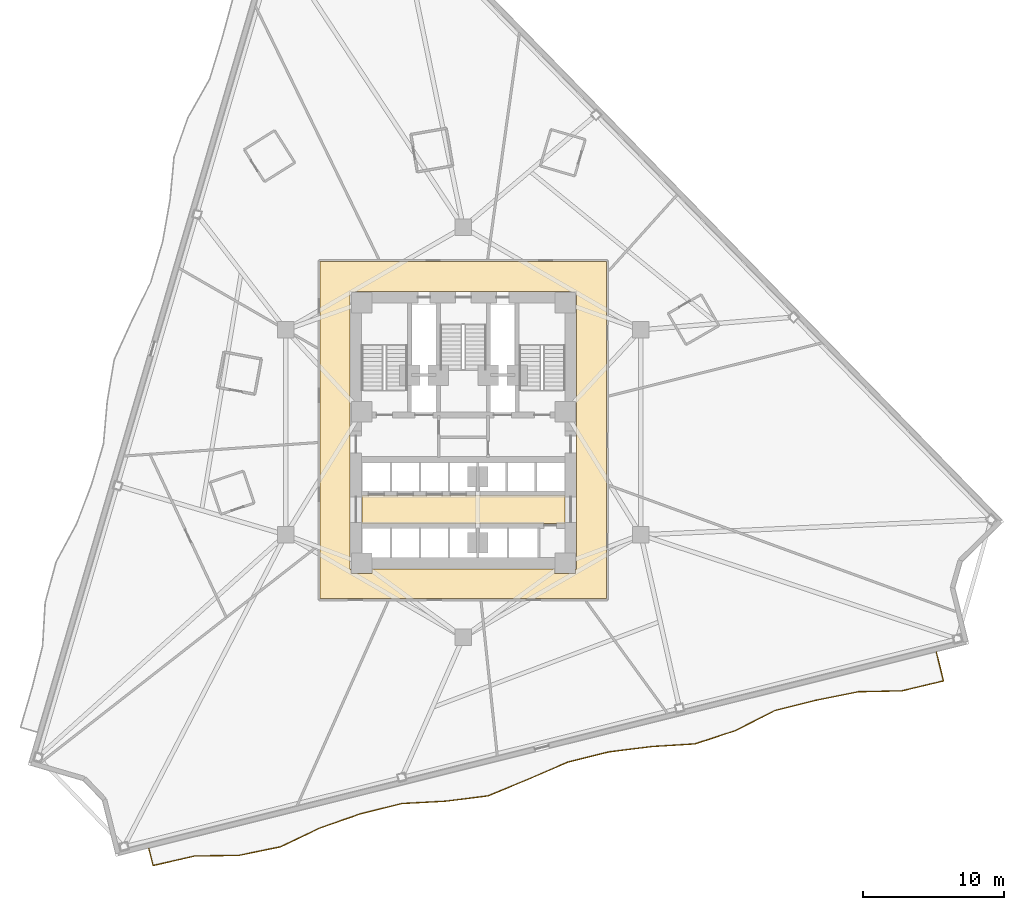
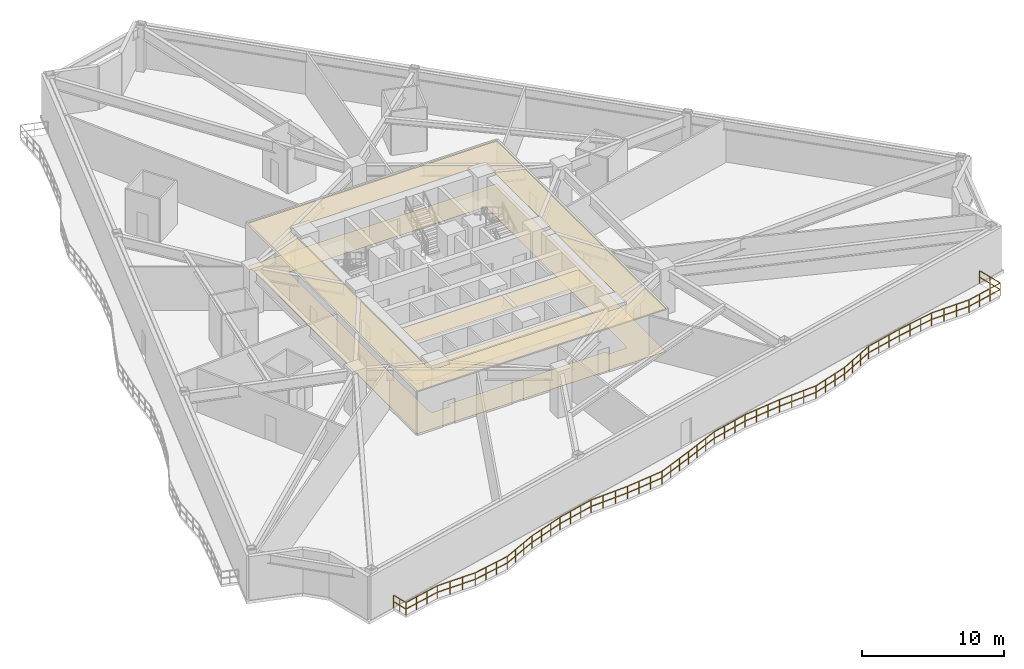
# One storey, part 7 of 9: 4 coverings, 1 railing.
"""IFC4 building model written with IfcOpenShell, lengths in metres."""

from ifc_helpers import new_model, si_unit, direction, frame, origin, origin_2d, place, context, subcontext, project, spatial, polyline, rectangle, outline, extrude, material, layer, layer_set, type_object, element, save


model = new_model("IFC4")

# Units and contexts
model_context = context("Model", 3, precision=1e-05, world=origin(), true_north=direction((0.0, 1.0)))
body_context = subcontext(model_context, "Body", "Model", "MODEL_VIEW")
ifc_project = project(units=[si_unit("LENGTHUNIT", "METRE"), si_unit("AREAUNIT", "SQUARE_METRE"), si_unit("VOLUMEUNIT", "CUBIC_METRE"), si_unit("PLANEANGLEUNIT", "RADIAN"), si_unit("MASSUNIT", "GRAM", prefix="KILO")], contexts=[model_context])

# Site, building, storey
site_placement = place(None, origin())
site = spatial("IfcSite", under=ifc_project, at=site_placement, CompositionType="ELEMENT")
building_placement = place(site_placement, origin())
building = spatial("IfcBuilding", under=site, at=building_placement, Name="Apsidion Concourse Tower", CompositionType="ELEMENT")
storey_placement = place(building_placement, frame((0.0, 0.0, 119.0)))
storey = spatial("IfcBuildingStorey", under=building, at=storey_placement, Name="L27", CompositionType="ELEMENT", Elevation=119.0)

# Coverings
ifc_material_1 = material(Name="Acoustic mineral fibre ceiling")
ifc_layer_1 = layer(ifc_material_1, 0.0400390625)
ifc_layer_set_1 = layer_set([ifc_layer_1], Name="Acoustic mineral fibre ceiling")
covering_type_1 = type_object("IfcCoveringType", Name="COV-CEIL-40", PredefinedType="CEILING", material=ifc_layer_set_1)
covering_1_placement = place(storey_placement, frame((0.0, 0.0, 3.64990234375)))
element("IfcCovering", 1, at=covering_1_placement, inside=storey, type_object=covering_type_1, Name="L27 Acoustic Ceiling Grid 1", PredefinedType="CEILING", context=body_context, shape_type="SweptSolid", body=[
    extrude(outline(polyline([(-7.179931640625, -6.449951171875), (-7.179931640625, -4.47998046875), (7.179931640625, -4.47998046875), (7.179931640625, -6.449951171875), (-7.179931640625, -6.449951171875)])), origin(), (0.0, 0.0, 1.0), 0.0400390625),
])
covering_2_placement = place(storey_placement, frame((0.0, 0.0, 3.64990234375)))
element("IfcCovering", 2, at=covering_2_placement, inside=storey, type_object=covering_type_1, Name="L27 Acoustic Ceiling Grid 2", PredefinedType="CEILING", context=body_context, shape_type="SweptSolid", body=[
    extrude(outline(polyline([(10.1201171875, 12.070068359375), (10.1201171875, -11.77001953125), (-10.1201171875, -11.77001953125), (-10.1201171875, 12.070068359375), (10.1201171875, 12.070068359375)]), holes=[polyline([(-8.02001953125, -9.669921875), (-7.945068359375, -9.669921875), (-7.945068359375, -9.97509765625), (-7.94482421875, -9.97705078125), (-7.944580078125, -9.97900390625), (-7.944091796875, -9.980712890625), (-7.943603515625, -9.982666015625), (-7.942626953125, -9.984375), (-7.941650390625, -9.986083984375), (-7.9404296875, -9.98779296875), (-7.939208984375, -9.989013671875), (-7.937744140625, -9.990478515625), (-7.93603515625, -9.99169921875), (-7.934326171875, -9.99267578125), (-7.9326171875, -9.993408203125), (-7.930908203125, -9.994140625), (-7.928955078125, -9.99462890625), (-7.927001953125, -9.994873046875), (-7.925048828125, -9.9951171875), (-6.47509765625, -9.9951171875), (-6.472900390625, -9.994873046875), (-6.47119140625, -9.99462890625), (-6.46923828125, -9.994140625), (-6.46728515625, -9.993408203125), (-6.465576171875, -9.99267578125), (-6.4638671875, -9.99169921875), (-6.46240234375, -9.990478515625), (-6.4609375, -9.989013671875), (-6.45947265625, -9.98779296875), (-6.45849609375, -9.986083984375), (-6.45751953125, -9.984375), (-6.45654296875, -9.982666015625), (-6.455810546875, -9.980712890625), (-6.455322265625, -9.97900390625), (-6.455078125, -9.97705078125), (-6.455078125, -9.97509765625), (-6.455078125, -9.669921875), (6.455078125, -9.669921875), (6.455078125, -9.97509765625), (6.455078125, -9.97705078125), (6.455322265625, -9.97900390625), (6.455810546875, -9.980712890625), (6.45654296875, -9.982666015625), (6.45751953125, -9.984375), (6.45849609375, -9.986083984375), (6.45947265625, -9.98779296875), (6.4609375, -9.989013671875), (6.46240234375, -9.990478515625), (6.4638671875, -9.99169921875), (6.465576171875, -9.99267578125), (6.46728515625, -9.993408203125), (6.46923828125, -9.994140625), (6.47119140625, -9.99462890625), (6.472900390625, -9.994873046875), (6.47509765625, -9.9951171875), (7.925048828125, -9.9951171875), (7.927001953125, -9.994873046875), (7.928955078125, -9.99462890625), (7.930908203125, -9.994140625), (7.9326171875, -9.993408203125), (7.934326171875, -9.99267578125), (7.93603515625, -9.99169921875), (7.937744140625, -9.990478515625), (7.939208984375, -9.989013671875), (7.9404296875, -9.98779296875), (7.941650390625, -9.986083984375), (7.942626953125, -9.984375), (7.943603515625, -9.982666015625), (7.944091796875, -9.980712890625), (7.944580078125, -9.97900390625), (7.94482421875, -9.97705078125), (7.945068359375, -9.97509765625), (7.945068359375, -9.669921875), (8.02001953125, -9.669921875), (8.02001953125, 9.969970703125), (-8.02001953125, 9.969970703125), (-8.02001953125, -9.669921875)])]), origin(), (0.0, 0.0, 1.0), 0.0400390625),
])
ifc_material_2 = material(Name="Honed travertine floor finish", Category="masonry")
ifc_layer_2 = layer(ifc_material_2, 0.02001953125)
ifc_layer_set_2 = layer_set([ifc_layer_2], Name="Honed travertine floor finish")
covering_type_2 = type_object("IfcCoveringType", Name="COV-FLOR-20", PredefinedType="FLOORING", material=ifc_layer_set_2)
covering_3_placement = place(storey_placement, origin())
element("IfcCovering", 3, at=covering_3_placement, inside=storey, type_object=covering_type_2, Name="L27 Honed Travertine Floor Finish 1", PredefinedType="FLOORING", context=body_context, shape_type="SweptSolid", body=[
    extrude(outline(polyline([(-7.179931640625, -6.449951171875), (-7.179931640625, -4.47998046875), (7.179931640625, -4.47998046875), (7.179931640625, -6.449951171875), (-7.179931640625, -6.449951171875)])), origin(), (0.0, 0.0, 1.0), 0.02001953125),
])
covering_4_placement = place(storey_placement, origin())
element("IfcCovering", 4, at=covering_4_placement, inside=storey, type_object=covering_type_2, Name="L27 Honed Travertine Floor Finish 2", PredefinedType="FLOORING", context=body_context, shape_type="SweptSolid", body=[
    extrude(outline(polyline([(10.1201171875, 12.070068359375), (10.1201171875, -11.77001953125), (-10.1201171875, -11.77001953125), (-10.1201171875, 12.070068359375), (10.1201171875, 12.070068359375)]), holes=[polyline([(-8.02001953125, -9.669921875), (-7.945068359375, -9.669921875), (-7.945068359375, -9.97509765625), (-7.94482421875, -9.97705078125), (-7.944580078125, -9.97900390625), (-7.944091796875, -9.980712890625), (-7.943603515625, -9.982666015625), (-7.942626953125, -9.984375), (-7.941650390625, -9.986083984375), (-7.9404296875, -9.98779296875), (-7.939208984375, -9.989013671875), (-7.937744140625, -9.990478515625), (-7.93603515625, -9.99169921875), (-7.934326171875, -9.99267578125), (-7.9326171875, -9.993408203125), (-7.930908203125, -9.994140625), (-7.928955078125, -9.99462890625), (-7.927001953125, -9.994873046875), (-7.925048828125, -9.9951171875), (-6.47509765625, -9.9951171875), (-6.472900390625, -9.994873046875), (-6.47119140625, -9.99462890625), (-6.46923828125, -9.994140625), (-6.46728515625, -9.993408203125), (-6.465576171875, -9.99267578125), (-6.4638671875, -9.99169921875), (-6.46240234375, -9.990478515625), (-6.4609375, -9.989013671875), (-6.45947265625, -9.98779296875), (-6.45849609375, -9.986083984375), (-6.45751953125, -9.984375), (-6.45654296875, -9.982666015625), (-6.455810546875, -9.980712890625), (-6.455322265625, -9.97900390625), (-6.455078125, -9.97705078125), (-6.455078125, -9.97509765625), (-6.455078125, -9.669921875), (6.455078125, -9.669921875), (6.455078125, -9.97509765625), (6.455078125, -9.97705078125), (6.455322265625, -9.97900390625), (6.455810546875, -9.980712890625), (6.45654296875, -9.982666015625), (6.45751953125, -9.984375), (6.45849609375, -9.986083984375), (6.45947265625, -9.98779296875), (6.4609375, -9.989013671875), (6.46240234375, -9.990478515625), (6.4638671875, -9.99169921875), (6.465576171875, -9.99267578125), (6.46728515625, -9.993408203125), (6.46923828125, -9.994140625), (6.47119140625, -9.99462890625), (6.472900390625, -9.994873046875), (6.47509765625, -9.9951171875), (7.925048828125, -9.9951171875), (7.927001953125, -9.994873046875), (7.928955078125, -9.99462890625), (7.930908203125, -9.994140625), (7.9326171875, -9.993408203125), (7.934326171875, -9.99267578125), (7.93603515625, -9.99169921875), (7.937744140625, -9.990478515625), (7.939208984375, -9.989013671875), (7.9404296875, -9.98779296875), (7.941650390625, -9.986083984375), (7.942626953125, -9.984375), (7.943603515625, -9.982666015625), (7.944091796875, -9.980712890625), (7.944580078125, -9.97900390625), (7.94482421875, -9.97705078125), (7.945068359375, -9.97509765625), (7.945068359375, -9.669921875), (8.02001953125, -9.669921875), (8.02001953125, 9.969970703125), (-8.02001953125, 9.969970703125), (-8.02001953125, -9.669921875)])]), origin(), (0.0, 0.0, 1.0), 0.02001953125),
])

# Railing
ifc_material_3 = material(Name="Brushed stainless steel 316", Category="steel")
railing_type = type_object("IfcRailingType", Name="RL-BAL-1120", PredefinedType="BALUSTRADE", material=ifc_material_3)
railing_placement = place(storey_placement, frame((33.4599609375, -15.544677734375, 0.0)))
element("IfcRailing", 5, at=railing_placement, inside=storey, type_object=railing_type, Name="L27 Face 2 Rippling Balcony Balustrade", PredefinedType="BALUSTRADE", context=body_context, shape_type="SweptSolid", body=[
    extrude(rectangle(XDim=0.048095703125, YDim=0.048095703125, at=origin_2d()), frame((0.0, 0.0, 1.09619140625), z_axis=(0.241852577788, -0.970313006518, 0.0), x_axis=(0.970313006518, 0.241852577788, 0.0)), (0.0, 0.0, 1.0), 2.102783203125),
    extrude(rectangle(XDim=0.048095703125, YDim=0.048095703125, at=origin_2d()), frame((0.0, 0.0, 0.5361328125), z_axis=(0.241852577788, -0.970313006518, 0.0), x_axis=(0.970313006518, 0.241852577788, 0.0)), (0.0, 0.0, 1.0), 2.102783203125),
    extrude(rectangle(XDim=0.048095703125, YDim=0.048095703125, at=origin_2d()), frame((0.508544921875, -2.040283203125, 1.09619140625), z_axis=(-0.972549881074, -0.23269449676, 0.0), x_axis=(0.23269449676, -0.972549881074, 0.0)), (0.0, 0.0, 1.0), 3.021728515625),
    extrude(rectangle(XDim=0.048095703125, YDim=0.048095703125, at=origin_2d()), frame((0.508544921875, -2.040283203125, 0.5361328125), z_axis=(-0.972549881074, -0.23269449676, 0.0), x_axis=(0.23269449676, -0.972549881074, 0.0)), (0.0, 0.0, 1.0), 3.021728515625),
    extrude(rectangle(XDim=0.048095703125, YDim=0.048095703125, at=origin_2d()), frame((-2.43017578125, -2.743408203125, 1.09619140625), z_axis=(-0.999763416413, -0.021751119575, 0.0), x_axis=(0.021751119575, -0.999763416413, 0.0)), (0.0, 0.0, 1.0), 3.097900390625),
    extrude(rectangle(XDim=0.048095703125, YDim=0.048095703125, at=origin_2d()), frame((-2.43017578125, -2.743408203125, 0.5361328125), z_axis=(-0.999763416413, -0.021751119575, 0.0), x_axis=(0.021751119575, -0.999763416413, 0.0)), (0.0, 0.0, 1.0), 3.097900390625),
    extrude(rectangle(XDim=0.048095703125, YDim=0.048095703125, at=origin_2d()), frame((-5.52734375, -2.810791015625, 1.09619140625), z_axis=(-0.980465650919, -0.196690384532, 0.0), x_axis=(0.196690384532, -0.980465650919, 0.0)), (0.0, 0.0, 1.0), 3.02490234375),
    extrude(rectangle(XDim=0.048095703125, YDim=0.048095703125, at=origin_2d()), frame((-5.52734375, -2.810791015625, 0.5361328125), z_axis=(-0.980465650919, -0.196690384532, 0.0), x_axis=(0.196690384532, -0.980465650919, 0.0)), (0.0, 0.0, 1.0), 3.02490234375),
    extrude(rectangle(XDim=0.048095703125, YDim=0.048095703125, at=origin_2d()), frame((-8.4931640625, -3.40576171875, 1.09619140625), z_axis=(-0.970299139815, -0.241908204231, 0.0), x_axis=(0.241908204231, -0.970299139815, 0.0)), (0.0, 0.0, 1.0), 3.021728515625),
    extrude(rectangle(XDim=0.048095703125, YDim=0.048095703125, at=origin_2d()), frame((-8.4931640625, -3.40576171875, 0.5361328125), z_axis=(-0.970299139815, -0.241908204231, 0.0), x_axis=(0.241908204231, -0.970299139815, 0.0)), (0.0, 0.0, 1.0), 3.021728515625),
    extrude(rectangle(XDim=0.048095703125, YDim=0.048095703125, at=origin_2d()), frame((-11.425048828125, -4.13671875, 1.09619140625), z_axis=(-0.890393572984, -0.455191481893, 0.0), x_axis=(0.455191481893, -0.890393572984, 0.0)), (0.0, 0.0, 1.0), 3.102294921875),
    extrude(rectangle(XDim=0.048095703125, YDim=0.048095703125, at=origin_2d()), frame((-11.425048828125, -4.13671875, 0.5361328125), z_axis=(-0.890393572984, -0.455191481893, 0.0), x_axis=(0.455191481893, -0.890393572984, 0.0)), (0.0, 0.0, 1.0), 3.102294921875),
    extrude(rectangle(XDim=0.048095703125, YDim=0.048095703125, at=origin_2d()), frame((-14.187255859375, -5.548828125, 1.09619140625), z_axis=(-0.949916977138, -0.312502378464, 0.0), x_axis=(0.312502378464, -0.949916977138, 0.0)), (0.0, 0.0, 1.0), 3.02978515625),
    extrude(rectangle(XDim=0.048095703125, YDim=0.048095703125, at=origin_2d()), frame((-14.187255859375, -5.548828125, 0.5361328125), z_axis=(-0.949916977138, -0.312502378464, 0.0), x_axis=(0.312502378464, -0.949916977138, 0.0)), (0.0, 0.0, 1.0), 3.02978515625),
    extrude(rectangle(XDim=0.048095703125, YDim=0.048095703125, at=origin_2d()), frame((-17.065185546875, -6.49560546875, 1.09619140625), z_axis=(-0.998097454317, -0.061656075828, 0.0), x_axis=(0.061656075828, -0.998097454317, 0.0)), (0.0, 0.0, 1.0), 3.07275390625),
    extrude(rectangle(XDim=0.048095703125, YDim=0.048095703125, at=origin_2d()), frame((-17.065185546875, -6.49560546875, 0.5361328125), z_axis=(-0.998097454317, -0.061656075828, 0.0), x_axis=(0.061656075828, -0.998097454317, 0.0)), (0.0, 0.0, 1.0), 3.07275390625),
    extrude(rectangle(XDim=0.048095703125, YDim=0.048095703125, at=origin_2d()), frame((-20.132080078125, -6.68505859375, 1.09619140625), z_axis=(-0.992351739453, -0.1234423963, 0.0), x_axis=(0.1234423963, -0.992351739453, 0.0)), (0.0, 0.0, 1.0), 3.043701171875),
    extrude(rectangle(XDim=0.048095703125, YDim=0.048095703125, at=origin_2d()), frame((-20.132080078125, -6.68505859375, 0.5361328125), z_axis=(-0.992351739453, -0.1234423963, 0.0), x_axis=(0.1234423963, -0.992351739453, 0.0)), (0.0, 0.0, 1.0), 3.043701171875),
    extrude(rectangle(XDim=0.048095703125, YDim=0.048095703125, at=origin_2d()), frame((-23.152587890625, -7.060791015625, 1.09619140625), z_axis=(-0.970299139815, -0.241908204231, 0.0), x_axis=(0.241908204231, -0.970299139815, 0.0)), (0.0, 0.0, 1.0), 3.021728515625),
    extrude(rectangle(XDim=0.048095703125, YDim=0.048095703125, at=origin_2d()), frame((-23.152587890625, -7.060791015625, 0.5361328125), z_axis=(-0.970299139815, -0.241908204231, 0.0), x_axis=(0.241908204231, -0.970299139815, 0.0)), (0.0, 0.0, 1.0), 3.021728515625),
    extrude(rectangle(XDim=0.048095703125, YDim=0.048095703125, at=origin_2d()), frame((-26.08447265625, -7.791748046875, 1.09619140625), z_axis=(-0.917500366272, -0.39773493421, 0.0), x_axis=(0.39773493421, -0.917500366272, 0.0)), (0.0, 0.0, 1.0), 3.06298828125),
    extrude(rectangle(XDim=0.048095703125, YDim=0.048095703125, at=origin_2d()), frame((-26.08447265625, -7.791748046875, 0.5361328125), z_axis=(-0.917500366272, -0.39773493421, 0.0), x_axis=(0.39773493421, -0.917500366272, 0.0)), (0.0, 0.0, 1.0), 3.06298828125),
    extrude(rectangle(XDim=0.048095703125, YDim=0.048095703125, at=origin_2d()), frame((-28.894775390625, -9.010009765625, 1.09619140625), z_axis=(-0.924534018981, -0.381099524726, 0.0), x_axis=(0.381099524726, -0.924534018981, 0.0)), (0.0, 0.0, 1.0), 3.054443359375),
    extrude(rectangle(XDim=0.048095703125, YDim=0.048095703125, at=origin_2d()), frame((-28.894775390625, -9.010009765625, 0.5361328125), z_axis=(-0.924534018981, -0.381099524726, 0.0), x_axis=(0.381099524726, -0.924534018981, 0.0)), (0.0, 0.0, 1.0), 3.054443359375),
    extrude(rectangle(XDim=0.048095703125, YDim=0.048095703125, at=origin_2d()), frame((-31.71875, -10.174072265625, 1.09619140625), z_axis=(-0.992290212953, -0.123936004771, 0.0), x_axis=(0.123936004771, -0.992290212953, 0.0)), (0.0, 0.0, 1.0), 3.04345703125),
    extrude(rectangle(XDim=0.048095703125, YDim=0.048095703125, at=origin_2d()), frame((-31.71875, -10.174072265625, 0.5361328125), z_axis=(-0.992290212953, -0.123936004771, 0.0), x_axis=(0.123936004771, -0.992290212953, 0.0)), (0.0, 0.0, 1.0), 3.04345703125),
    extrude(rectangle(XDim=0.048095703125, YDim=0.048095703125, at=origin_2d()), frame((-34.73876953125, -10.55126953125, 1.09619140625), z_axis=(-0.998569645265, -0.053466471315, 0.0), x_axis=(0.053466471315, -0.998569645265, 0.0)), (0.0, 0.0, 1.0), 3.07763671875),
    extrude(rectangle(XDim=0.048095703125, YDim=0.048095703125, at=origin_2d()), frame((-34.73876953125, -10.55126953125, 0.5361328125), z_axis=(-0.998569645265, -0.053466471315, 0.0), x_axis=(0.053466471315, -0.998569645265, 0.0)), (0.0, 0.0, 1.0), 3.07763671875),
    extrude(rectangle(XDim=0.048095703125, YDim=0.048095703125, at=origin_2d()), frame((-37.81201171875, -10.7158203125, 1.09619140625), z_axis=(-0.970299139815, -0.241908204231, 0.0), x_axis=(0.241908204231, -0.970299139815, 0.0)), (0.0, 0.0, 1.0), 3.021728515625),
    extrude(rectangle(XDim=0.048095703125, YDim=0.048095703125, at=origin_2d()), frame((-37.81201171875, -10.7158203125, 0.5361328125), z_axis=(-0.970299139815, -0.241908204231, 0.0), x_axis=(0.241908204231, -0.970299139815, 0.0)), (0.0, 0.0, 1.0), 3.021728515625),
    extrude(rectangle(XDim=0.048095703125, YDim=0.048095703125, at=origin_2d()), frame((-40.743896484375, -11.44677734375, 1.09619140625), z_axis=(-0.944047615826, -0.329809185824, 0.0), x_axis=(0.329809185824, -0.944047615826, 0.0)), (0.0, 0.0, 1.0), 3.0341796875),
    extrude(rectangle(XDim=0.048095703125, YDim=0.048095703125, at=origin_2d()), frame((-40.743896484375, -11.44677734375, 0.5361328125), z_axis=(-0.944047615826, -0.329809185824, 0.0), x_axis=(0.329809185824, -0.944047615826, 0.0)), (0.0, 0.0, 1.0), 3.0341796875),
    extrude(rectangle(XDim=0.048095703125, YDim=0.048095703125, at=origin_2d()), frame((-43.6083984375, -12.447509765625, 1.09619140625), z_axis=(-0.90243277212, -0.4308306997, 0.0), x_axis=(0.4308306997, -0.90243277212, 0.0)), (0.0, 0.0, 1.0), 3.083740234375),
    extrude(rectangle(XDim=0.048095703125, YDim=0.048095703125, at=origin_2d()), frame((-43.6083984375, -12.447509765625, 0.5361328125), z_axis=(-0.90243277212, -0.4308306997, 0.0), x_axis=(0.4308306997, -0.90243277212, 0.0)), (0.0, 0.0, 1.0), 3.083740234375),
    extrude(rectangle(XDim=0.048095703125, YDim=0.048095703125, at=origin_2d()), frame((-46.391357421875, -13.776123046875, 1.09619140625), z_axis=(-0.979571313717, -0.201097094319, 0.0), x_axis=(0.201097094319, -0.979571313717, 0.0)), (0.0, 0.0, 1.0), 3.024169921875),
    extrude(rectangle(XDim=0.048095703125, YDim=0.048095703125, at=origin_2d()), frame((-46.391357421875, -13.776123046875, 0.5361328125), z_axis=(-0.979571313717, -0.201097094319, 0.0), x_axis=(0.201097094319, -0.979571313717, 0.0)), (0.0, 0.0, 1.0), 3.024169921875),
    extrude(rectangle(XDim=0.048095703125, YDim=0.048095703125, at=origin_2d()), frame((-49.353759765625, -14.38427734375, 1.09619140625), z_axis=(-0.999911667311, -0.013291259381, 0.0), x_axis=(0.013291259381, -0.999911667311, 0.0)), (0.0, 0.0, 1.0), 3.104248046875),
    extrude(rectangle(XDim=0.048095703125, YDim=0.048095703125, at=origin_2d()), frame((-49.353759765625, -14.38427734375, 0.5361328125), z_axis=(-0.999911667311, -0.013291259381, 0.0), x_axis=(0.013291259381, -0.999911667311, 0.0)), (0.0, 0.0, 1.0), 3.104248046875),
    extrude(rectangle(XDim=0.048095703125, YDim=0.048095703125, at=origin_2d()), frame((-52.457763671875, -14.425537109375, 1.09619140625), z_axis=(-0.974638417384, -0.223785511949, 0.0), x_axis=(0.223785511949, -0.974638417384, 0.0)), (0.0, 0.0, 1.0), 3.02197265625),
    extrude(rectangle(XDim=0.048095703125, YDim=0.048095703125, at=origin_2d()), frame((-52.457763671875, -14.425537109375, 0.5361328125), z_axis=(-0.974638417384, -0.223785511949, 0.0), x_axis=(0.223785511949, -0.974638417384, 0.0)), (0.0, 0.0, 1.0), 3.02197265625),
    extrude(rectangle(XDim=0.048095703125, YDim=0.048095703125, at=origin_2d()), frame((-55.403076171875, -15.101806640625, 1.09619140625), z_axis=(-0.24198413362, 0.970280206475, 0.0), x_axis=(-0.970280206475, -0.24198413362, 0.0)), (0.0, 0.0, 1.0), 1.25),
    extrude(rectangle(XDim=0.048095703125, YDim=0.048095703125, at=origin_2d()), frame((-55.403076171875, -15.101806640625, 0.5361328125), z_axis=(-0.24198413362, 0.970280206475, 0.0), x_axis=(-0.970280206475, -0.24198413362, 0.0)), (0.0, 0.0, 1.0), 1.25),
    extrude(rectangle(XDim=0.0419921875, YDim=0.0419921875, at=origin_2d()), origin(), (0.0, 0.0, 1.0), 1.072021484375),
    extrude(rectangle(XDim=0.0419921875, YDim=0.0419921875, at=origin_2d()), frame((0.25439453125, -1.02001953125, 0.0)), (0.0, 0.0, 1.0), 1.072021484375),
    extrude(rectangle(XDim=0.0419921875, YDim=0.0419921875, at=origin_2d()), frame((0.508544921875, -2.040283203125, 0.0)), (0.0, 0.0, 1.0), 1.072021484375),
    extrude(rectangle(XDim=0.0419921875, YDim=0.0419921875, at=origin_2d()), frame((-0.470947265625, -2.274658203125, 0.0)), (0.0, 0.0, 1.0), 1.072021484375),
    extrude(rectangle(XDim=0.0419921875, YDim=0.0419921875, at=origin_2d()), frame((-1.45068359375, -2.509033203125, 0.0)), (0.0, 0.0, 1.0), 1.072021484375),
    extrude(rectangle(XDim=0.0419921875, YDim=0.0419921875, at=origin_2d()), frame((-2.43017578125, -2.743408203125, 0.0)), (0.0, 0.0, 1.0), 1.072021484375),
    extrude(rectangle(XDim=0.0419921875, YDim=0.0419921875, at=origin_2d()), frame((-3.462646484375, -2.765869140625, 0.0)), (0.0, 0.0, 1.0), 1.072021484375),
    extrude(rectangle(XDim=0.0419921875, YDim=0.0419921875, at=origin_2d()), frame((-4.494873046875, -2.788330078125, 0.0)), (0.0, 0.0, 1.0), 1.072021484375),
    extrude(rectangle(XDim=0.0419921875, YDim=0.0419921875, at=origin_2d()), frame((-5.52734375, -2.810791015625, 0.0)), (0.0, 0.0, 1.0), 1.072021484375),
    extrude(rectangle(XDim=0.0419921875, YDim=0.0419921875, at=origin_2d()), frame((-6.515869140625, -3.009033203125, 0.0)), (0.0, 0.0, 1.0), 1.072021484375),
    extrude(rectangle(XDim=0.0419921875, YDim=0.0419921875, at=origin_2d()), frame((-7.504638671875, -3.20751953125, 0.0)), (0.0, 0.0, 1.0), 1.072021484375),
    extrude(rectangle(XDim=0.0419921875, YDim=0.0419921875, at=origin_2d()), frame((-8.4931640625, -3.40576171875, 0.0)), (0.0, 0.0, 1.0), 1.072021484375),
    extrude(rectangle(XDim=0.0419921875, YDim=0.0419921875, at=origin_2d()), frame((-9.470458984375, -3.6494140625, 0.0)), (0.0, 0.0, 1.0), 1.072021484375),
    extrude(rectangle(XDim=0.0419921875, YDim=0.0419921875, at=origin_2d()), frame((-10.44775390625, -3.89306640625, 0.0)), (0.0, 0.0, 1.0), 1.072021484375),
    extrude(rectangle(XDim=0.0419921875, YDim=0.0419921875, at=origin_2d()), frame((-11.425048828125, -4.13671875, 0.0)), (0.0, 0.0, 1.0), 1.072021484375),
    extrude(rectangle(XDim=0.0419921875, YDim=0.0419921875, at=origin_2d()), frame((-12.345703125, -4.607421875, 0.0)), (0.0, 0.0, 1.0), 1.072021484375),
    extrude(rectangle(XDim=0.0419921875, YDim=0.0419921875, at=origin_2d()), frame((-13.2666015625, -5.078125, 0.0)), (0.0, 0.0, 1.0), 1.072021484375),
    extrude(rectangle(XDim=0.0419921875, YDim=0.0419921875, at=origin_2d()), frame((-14.187255859375, -5.548828125, 0.0)), (0.0, 0.0, 1.0), 1.072021484375),
    extrude(rectangle(XDim=0.0419921875, YDim=0.0419921875, at=origin_2d()), frame((-15.146484375, -5.864501953125, 0.0)), (0.0, 0.0, 1.0), 1.072021484375),
    extrude(rectangle(XDim=0.0419921875, YDim=0.0419921875, at=origin_2d()), frame((-16.10595703125, -6.179931640625, 0.0)), (0.0, 0.0, 1.0), 1.072021484375),
    extrude(rectangle(XDim=0.0419921875, YDim=0.0419921875, at=origin_2d()), frame((-17.065185546875, -6.49560546875, 0.0)), (0.0, 0.0, 1.0), 1.072021484375),
    extrude(rectangle(XDim=0.0419921875, YDim=0.0419921875, at=origin_2d()), frame((-18.08740234375, -6.558837890625, 0.0)), (0.0, 0.0, 1.0), 1.072021484375),
    extrude(rectangle(XDim=0.0419921875, YDim=0.0419921875, at=origin_2d()), frame((-19.10986328125, -6.621826171875, 0.0)), (0.0, 0.0, 1.0), 1.072021484375),
    extrude(rectangle(XDim=0.0419921875, YDim=0.0419921875, at=origin_2d()), frame((-20.132080078125, -6.68505859375, 0.0)), (0.0, 0.0, 1.0), 1.072021484375),
    extrude(rectangle(XDim=0.0419921875, YDim=0.0419921875, at=origin_2d()), frame((-21.138916015625, -6.810302734375, 0.0)), (0.0, 0.0, 1.0), 1.072021484375),
    extrude(rectangle(XDim=0.0419921875, YDim=0.0419921875, at=origin_2d()), frame((-22.145751953125, -6.935546875, 0.0)), (0.0, 0.0, 1.0), 1.072021484375),
    extrude(rectangle(XDim=0.0419921875, YDim=0.0419921875, at=origin_2d()), frame((-23.152587890625, -7.060791015625, 0.0)), (0.0, 0.0, 1.0), 1.072021484375),
    extrude(rectangle(XDim=0.0419921875, YDim=0.0419921875, at=origin_2d()), frame((-24.1298828125, -7.304443359375, 0.0)), (0.0, 0.0, 1.0), 1.072021484375),
    extrude(rectangle(XDim=0.0419921875, YDim=0.0419921875, at=origin_2d()), frame((-25.107177734375, -7.548095703125, 0.0)), (0.0, 0.0, 1.0), 1.072021484375),
    extrude(rectangle(XDim=0.0419921875, YDim=0.0419921875, at=origin_2d()), frame((-26.08447265625, -7.791748046875, 0.0)), (0.0, 0.0, 1.0), 1.072021484375),
    extrude(rectangle(XDim=0.0419921875, YDim=0.0419921875, at=origin_2d()), frame((-27.021240234375, -8.19775390625, 0.0)), (0.0, 0.0, 1.0), 1.072021484375),
    extrude(rectangle(XDim=0.0419921875, YDim=0.0419921875, at=origin_2d()), frame((-27.9580078125, -8.60400390625, 0.0)), (0.0, 0.0, 1.0), 1.072021484375),
    extrude(rectangle(XDim=0.0419921875, YDim=0.0419921875, at=origin_2d()), frame((-28.894775390625, -9.010009765625, 0.0)), (0.0, 0.0, 1.0), 1.072021484375),
    extrude(rectangle(XDim=0.0419921875, YDim=0.0419921875, at=origin_2d()), frame((-29.836181640625, -9.39794921875, 0.0)), (0.0, 0.0, 1.0), 1.072021484375),
    extrude(rectangle(XDim=0.0419921875, YDim=0.0419921875, at=origin_2d()), frame((-30.77734375, -9.7861328125, 0.0)), (0.0, 0.0, 1.0), 1.072021484375),
    extrude(rectangle(XDim=0.0419921875, YDim=0.0419921875, at=origin_2d()), frame((-31.71875, -10.174072265625, 0.0)), (0.0, 0.0, 1.0), 1.072021484375),
    extrude(rectangle(XDim=0.0419921875, YDim=0.0419921875, at=origin_2d()), frame((-32.725341796875, -10.2998046875, 0.0)), (0.0, 0.0, 1.0), 1.072021484375),
    extrude(rectangle(XDim=0.0419921875, YDim=0.0419921875, at=origin_2d()), frame((-33.732177734375, -10.425537109375, 0.0)), (0.0, 0.0, 1.0), 1.072021484375),
    extrude(rectangle(XDim=0.0419921875, YDim=0.0419921875, at=origin_2d()), frame((-34.73876953125, -10.55126953125, 0.0)), (0.0, 0.0, 1.0), 1.072021484375),
    extrude(rectangle(XDim=0.0419921875, YDim=0.0419921875, at=origin_2d()), frame((-35.76318359375, -10.606201171875, 0.0)), (0.0, 0.0, 1.0), 1.072021484375),
    extrude(rectangle(XDim=0.0419921875, YDim=0.0419921875, at=origin_2d()), frame((-36.78759765625, -10.660888671875, 0.0)), (0.0, 0.0, 1.0), 1.072021484375),
    extrude(rectangle(XDim=0.0419921875, YDim=0.0419921875, at=origin_2d()), frame((-37.81201171875, -10.7158203125, 0.0)), (0.0, 0.0, 1.0), 1.072021484375),
    extrude(rectangle(XDim=0.0419921875, YDim=0.0419921875, at=origin_2d()), frame((-38.789306640625, -10.95947265625, 0.0)), (0.0, 0.0, 1.0), 1.072021484375),
    extrude(rectangle(XDim=0.0419921875, YDim=0.0419921875, at=origin_2d()), frame((-39.7666015625, -11.203125, 0.0)), (0.0, 0.0, 1.0), 1.072021484375),
    extrude(rectangle(XDim=0.0419921875, YDim=0.0419921875, at=origin_2d()), frame((-40.743896484375, -11.44677734375, 0.0)), (0.0, 0.0, 1.0), 1.072021484375),
    extrude(rectangle(XDim=0.0419921875, YDim=0.0419921875, at=origin_2d()), frame((-41.69873046875, -11.7802734375, 0.0)), (0.0, 0.0, 1.0), 1.072021484375),
    extrude(rectangle(XDim=0.0419921875, YDim=0.0419921875, at=origin_2d()), frame((-42.653564453125, -12.114013671875, 0.0)), (0.0, 0.0, 1.0), 1.072021484375),
    extrude(rectangle(XDim=0.0419921875, YDim=0.0419921875, at=origin_2d()), frame((-43.6083984375, -12.447509765625, 0.0)), (0.0, 0.0, 1.0), 1.072021484375),
    extrude(rectangle(XDim=0.0419921875, YDim=0.0419921875, at=origin_2d()), frame((-44.5361328125, -12.890380859375, 0.0)), (0.0, 0.0, 1.0), 1.072021484375),
    extrude(rectangle(XDim=0.0419921875, YDim=0.0419921875, at=origin_2d()), frame((-45.463623046875, -13.333251953125, 0.0)), (0.0, 0.0, 1.0), 1.072021484375),
    extrude(rectangle(XDim=0.0419921875, YDim=0.0419921875, at=origin_2d()), frame((-46.391357421875, -13.776123046875, 0.0)), (0.0, 0.0, 1.0), 1.072021484375),
    extrude(rectangle(XDim=0.0419921875, YDim=0.0419921875, at=origin_2d()), frame((-47.37890625, -13.978759765625, 0.0)), (0.0, 0.0, 1.0), 1.072021484375),
    extrude(rectangle(XDim=0.0419921875, YDim=0.0419921875, at=origin_2d()), frame((-48.3662109375, -14.181640625, 0.0)), (0.0, 0.0, 1.0), 1.072021484375),
    extrude(rectangle(XDim=0.0419921875, YDim=0.0419921875, at=origin_2d()), frame((-49.353759765625, -14.38427734375, 0.0)), (0.0, 0.0, 1.0), 1.072021484375),
    extrude(rectangle(XDim=0.0419921875, YDim=0.0419921875, at=origin_2d()), frame((-50.388427734375, -14.39794921875, 0.0)), (0.0, 0.0, 1.0), 1.072021484375),
    extrude(rectangle(XDim=0.0419921875, YDim=0.0419921875, at=origin_2d()), frame((-51.423095703125, -14.411865234375, 0.0)), (0.0, 0.0, 1.0), 1.072021484375),
    extrude(rectangle(XDim=0.0419921875, YDim=0.0419921875, at=origin_2d()), frame((-52.457763671875, -14.425537109375, 0.0)), (0.0, 0.0, 1.0), 1.072021484375),
    extrude(rectangle(XDim=0.0419921875, YDim=0.0419921875, at=origin_2d()), frame((-53.439453125, -14.65087890625, 0.0)), (0.0, 0.0, 1.0), 1.072021484375),
    extrude(rectangle(XDim=0.0419921875, YDim=0.0419921875, at=origin_2d()), frame((-54.42138671875, -14.87646484375, 0.0)), (0.0, 0.0, 1.0), 1.072021484375),
    extrude(rectangle(XDim=0.0419921875, YDim=0.0419921875, at=origin_2d()), frame((-55.403076171875, -15.101806640625, 0.0)), (0.0, 0.0, 1.0), 1.072021484375),
    extrude(rectangle(XDim=0.0419921875, YDim=0.0419921875, at=origin_2d()), frame((-55.55419921875, -14.495361328125, 0.0)), (0.0, 0.0, 1.0), 1.072021484375),
    extrude(rectangle(XDim=0.0419921875, YDim=0.0419921875, at=origin_2d()), frame((-55.70556640625, -13.888916015625, 0.0)), (0.0, 0.0, 1.0), 1.072021484375),
])

save(model, "model.ifc")
